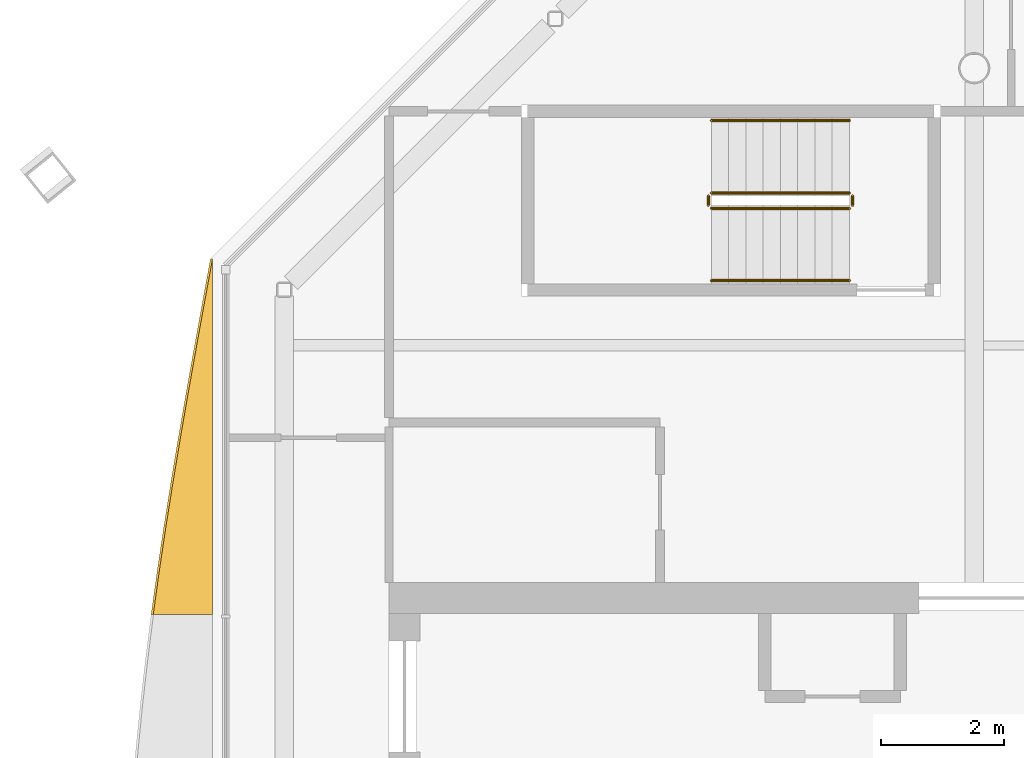
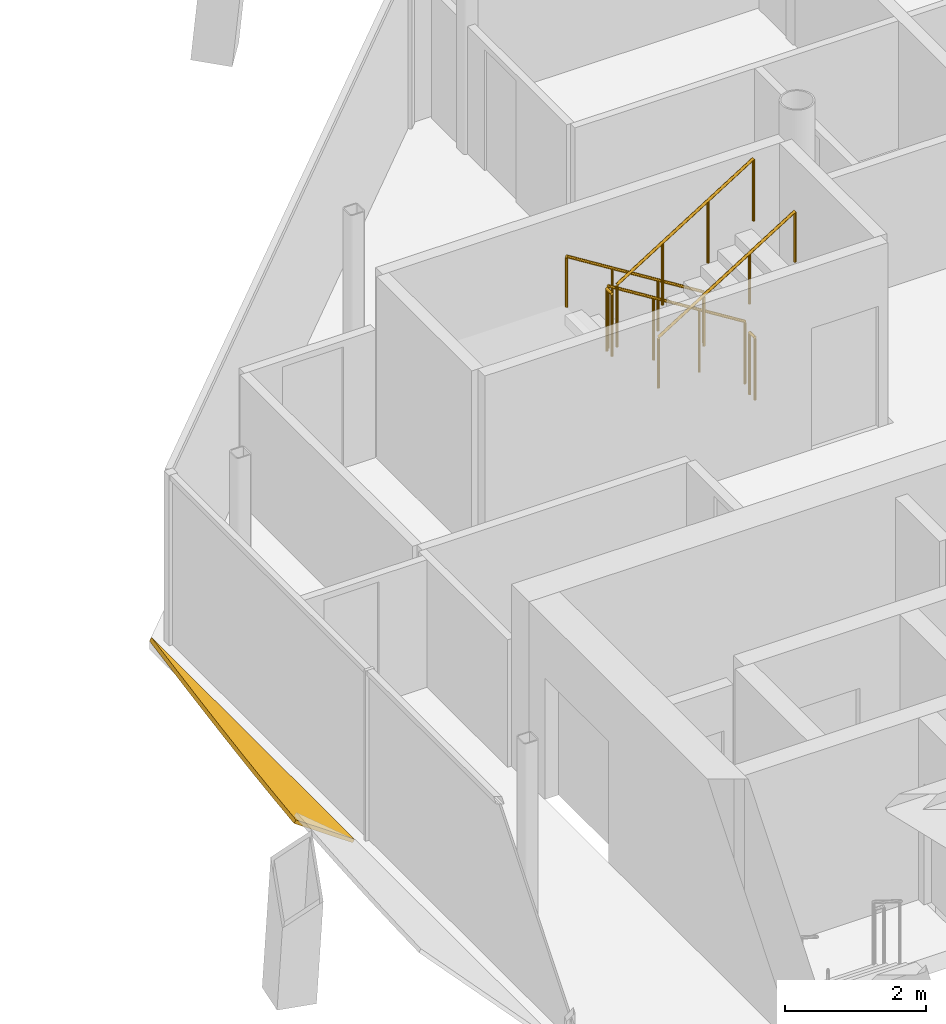
# One storey, part 12 of 13: 6 railings, 1 shading device.
"""IFC4 building model written with IfcOpenShell, lengths in metres."""

from ifc_helpers import new_model, si_unit, direction, frame, origin, origin_2d, place, context, subcontext, project, spatial, polyline, circle, outline, extrude, material, layer, layer_set, type_object, element, save


model = new_model("IFC4")

# Units and contexts
model_context = context("Model", 3, precision=1e-05, world=origin(), true_north=direction((0.0, 1.0)))
body_context = subcontext(model_context, "Body", "Model", "MODEL_VIEW")
ifc_project = project(units=[si_unit("LENGTHUNIT", "METRE"), si_unit("AREAUNIT", "SQUARE_METRE"), si_unit("VOLUMEUNIT", "CUBIC_METRE"), si_unit("PLANEANGLEUNIT", "RADIAN"), si_unit("MASSUNIT", "GRAM", prefix="KILO")], contexts=[model_context])

# Site, building, storey
site_placement = place(None, origin())
site = spatial("IfcSite", under=ifc_project, at=site_placement, CompositionType="ELEMENT")
building_placement = place(site_placement, origin())
building = spatial("IfcBuilding", under=site, at=building_placement, Name="Tskaro Facet Tower", CompositionType="ELEMENT")
storey_placement = place(building_placement, frame((0.0, 0.0, 291.0)))
storey = spatial("IfcBuildingStorey", under=building, at=storey_placement, Name="L78", CompositionType="ELEMENT", Elevation=291.0)

# Shading device
ifc_material_1 = material(Name="Bronze anodised aluminium 6063-T6", Category="aluminium")
ifc_layer = layer(ifc_material_1, 0.06005859375, Name="Bronze anodised aluminium 6063-T6")
ifc_layer_set = layer_set([ifc_layer], Name="Bronze anodised aluminium 6063-T6")
shading_device_type = type_object("IfcShadingDeviceType", Name="Bronze sun blade (FN1)", PredefinedType="USERDEFINED", material=ifc_layer_set)
shading_device_placement = place(storey_placement, frame((-12.365478515625, 5.89990234375, 0.049072265625), z_axis=(0.573550450511, 1.657735e-05, 0.819170238988), x_axis=(9.507947e-06, -0.999999999863, 1.3579672e-05)))
element("IfcShadingDevice", 1, at=shading_device_placement, inside=storey, type_object=shading_device_type, Name="Fin blade west 1", ObjectType="FIN", PredefinedType="USERDEFINED", context=body_context, shape_type="SweptSolid", body=[
    extrude(outline(polyline([(0.0, 0.0), (5.7666015617076445, -9.769003034251257e-21), (5.766601563262682, -1.173425738187351), (5.045654296960516, -1.0509009583923716), (4.324951172626457, -0.9188958178639459), (3.6040039063561706, -0.7784903414696476), (2.883300778733329, -0.6314445934763132), (2.1623535138114978, -0.4785786402486817), (1.441650388859001, -0.3215125190881139), (0.7207031266022011, -0.16160630879313556), (0.0, 0.0)])), origin(), (0.0, 0.0, -1.0), 0.06005859375),
])

# Railings
ifc_material_2 = material(Name="Stainless steel", Category="steel")
railing_type_1 = type_object("IfcRailingType", Name="RL-GUARD-1100", PredefinedType="GUARDRAIL", material=ifc_material_2)
railing_1_placement = place(storey_placement, frame((-2.02490234375, 6.97509765625, 0.175048828125)))
element("IfcRailing", 2, at=railing_1_placement, inside=storey, type_object=railing_type_1, Name="L78 ST-3 stair guard 1", PredefinedType="GUARDRAIL", context=body_context, shape_type="SweptSolid", body=[
    extrude(circle(Radius=0.02392578125, at=origin_2d()), frame((0.0, 0.0, 1.076171875), z_axis=(-0.848013881152, 0.0, 0.529974015752), x_axis=(0.0, -1.0, 0.0)), (0.0, 0.0, 1.0), 2.641357421875),
    extrude(circle(Radius=0.02099609375, at=origin_2d()), origin(), (0.0, 0.0, 1.0), 1.052001953125),
    extrude(circle(Radius=0.02099609375, at=origin_2d()), frame((-0.74658203125, 0.0, 0.466552734375)), (0.0, 0.0, 1.0), 1.052001953125),
    extrude(circle(Radius=0.02099609375, at=origin_2d()), frame((-1.493408203125, 0.0, 0.933349609375)), (0.0, 0.0, 1.0), 1.052001953125),
    extrude(circle(Radius=0.02099609375, at=origin_2d()), frame((-2.239990234375, 0.0, 1.39990234375)), (0.0, 0.0, 1.0), 1.052001953125),
])
railing_2_placement = place(storey_placement, frame((-4.31494140625, 6.925048828125, 1.574951171875)))
element("IfcRailing", 3, at=railing_2_placement, inside=storey, type_object=railing_type_1, Name="L78 ST-3 stair guard 2", PredefinedType="GUARDRAIL", context=body_context, shape_type="SweptSolid", body=[
    extrude(circle(Radius=0.02392578125, at=origin_2d()), frame((0.0, 0.0, 1.076171875), z_axis=(0.0, -1.0, 0.0), x_axis=(1.0, 0.0, 0.0)), (0.0, 0.0, 1.0), 0.150146484375),
    extrude(circle(Radius=0.02099609375, at=origin_2d()), origin(), (0.0, 0.0, 1.0), 1.052001953125),
    extrude(circle(Radius=0.02099609375, at=origin_2d()), frame((0.0, -0.150146484375, 0.0)), (0.0, 0.0, 1.0), 1.052001953125),
])
railing_3_placement = place(storey_placement, frame((-4.264892578125, 6.72509765625, 1.75)))
element("IfcRailing", 4, at=railing_3_placement, inside=storey, type_object=railing_type_1, Name="L78 ST-3 stair guard 3", PredefinedType="GUARDRAIL", context=body_context, shape_type="SweptSolid", body=[
    extrude(circle(Radius=0.02392578125, at=origin_2d()), frame((0.0, 0.0, 1.076171875), z_axis=(0.848013881152, 0.0, 0.529974015752), x_axis=(0.0, 1.0, 0.0)), (0.0, 0.0, 1.0), 2.641357421875),
    extrude(circle(Radius=0.02099609375, at=origin_2d()), origin(), (0.0, 0.0, 1.0), 1.052001953125),
    extrude(circle(Radius=0.02099609375, at=origin_2d()), frame((0.74658203125, 0.0, 0.466552734375)), (0.0, 0.0, 1.0), 1.052001953125),
    extrude(circle(Radius=0.02099609375, at=origin_2d()), frame((1.493408203125, 0.0, 0.933349609375)), (0.0, 0.0, 1.0), 1.052001953125),
    extrude(circle(Radius=0.02099609375, at=origin_2d()), frame((2.239990234375, 0.0, 1.39990234375)), (0.0, 0.0, 1.0), 1.052001953125),
])
railing_4_placement = place(storey_placement, frame((-1.97509765625, 6.925048828125, 0.0)))
element("IfcRailing", 5, at=railing_4_placement, inside=storey, type_object=railing_type_1, Name="L78 ST-3 stair guard 4", PredefinedType="GUARDRAIL", context=body_context, shape_type="SweptSolid", body=[
    extrude(circle(Radius=0.02392578125, at=origin_2d()), frame((0.0, 0.0, 1.076171875), z_axis=(0.0, -1.0, 0.0), x_axis=(1.0, 0.0, 0.0)), (0.0, 0.0, 1.0), 0.150146484375),
    extrude(circle(Radius=0.02099609375, at=origin_2d()), origin(), (0.0, 0.0, 1.0), 1.052001953125),
    extrude(circle(Radius=0.02099609375, at=origin_2d()), frame((0.0, -0.150146484375, 0.0)), (0.0, 0.0, 1.0), 1.052001953125),
])
railing_type_2 = type_object("IfcRailingType", Name="RL-HANDRAIL-900", PredefinedType="HANDRAIL", material=ifc_material_2)
railing_5_placement = place(storey_placement, frame((-2.02490234375, 8.14990234375, 0.175048828125)))
element("IfcRailing", 6, at=railing_5_placement, inside=storey, type_object=railing_type_2, Name="L78 ST-3 stair handrail 1", PredefinedType="HANDRAIL", context=body_context, shape_type="SweptSolid", body=[
    extrude(circle(Radius=0.02392578125, at=origin_2d()), frame((0.0, 0.0, 0.8759765625), z_axis=(-0.848013881152, 0.0, 0.529974015752), x_axis=(0.0, -1.0, 0.0)), (0.0, 0.0, 1.0), 2.641357421875),
    extrude(circle(Radius=0.02099609375, at=origin_2d()), origin(), (0.0, 0.0, 1.0), 0.851806640625),
    extrude(circle(Radius=0.02099609375, at=origin_2d()), frame((-0.74658203125, 0.0, 0.466552734375)), (0.0, 0.0, 1.0), 0.851806640625),
    extrude(circle(Radius=0.02099609375, at=origin_2d()), frame((-1.493408203125, 0.0, 0.933349609375)), (0.0, 0.0, 1.0), 0.851806640625),
    extrude(circle(Radius=0.02099609375, at=origin_2d()), frame((-2.239990234375, 0.0, 1.39990234375)), (0.0, 0.0, 1.0), 0.851806640625),
])
railing_6_placement = place(storey_placement, frame((-4.264892578125, 5.550048828125, 1.75)))
element("IfcRailing", 7, at=railing_6_placement, inside=storey, type_object=railing_type_2, Name="L78 ST-3 stair handrail 2", PredefinedType="HANDRAIL", context=body_context, shape_type="SweptSolid", body=[
    extrude(circle(Radius=0.02392578125, at=origin_2d()), frame((0.0, 0.0, 0.8759765625), z_axis=(0.848013881152, 0.0, 0.529974015752), x_axis=(0.0, 1.0, 0.0)), (0.0, 0.0, 1.0), 2.641357421875),
    extrude(circle(Radius=0.02099609375, at=origin_2d()), origin(), (0.0, 0.0, 1.0), 0.851806640625),
    extrude(circle(Radius=0.02099609375, at=origin_2d()), frame((0.74658203125, 0.0, 0.466552734375)), (0.0, 0.0, 1.0), 0.851806640625),
    extrude(circle(Radius=0.02099609375, at=origin_2d()), frame((1.493408203125, 0.0, 0.933349609375)), (0.0, 0.0, 1.0), 0.851806640625),
    extrude(circle(Radius=0.02099609375, at=origin_2d()), frame((2.239990234375, 0.0, 1.39990234375)), (0.0, 0.0, 1.0), 0.851806640625),
])

save(model, "model.ifc")
